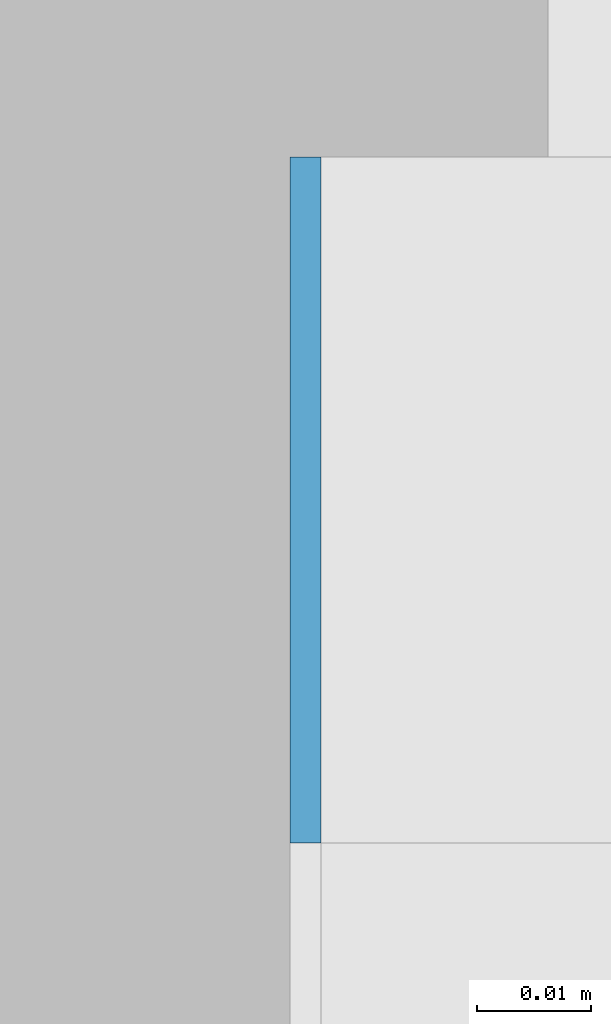
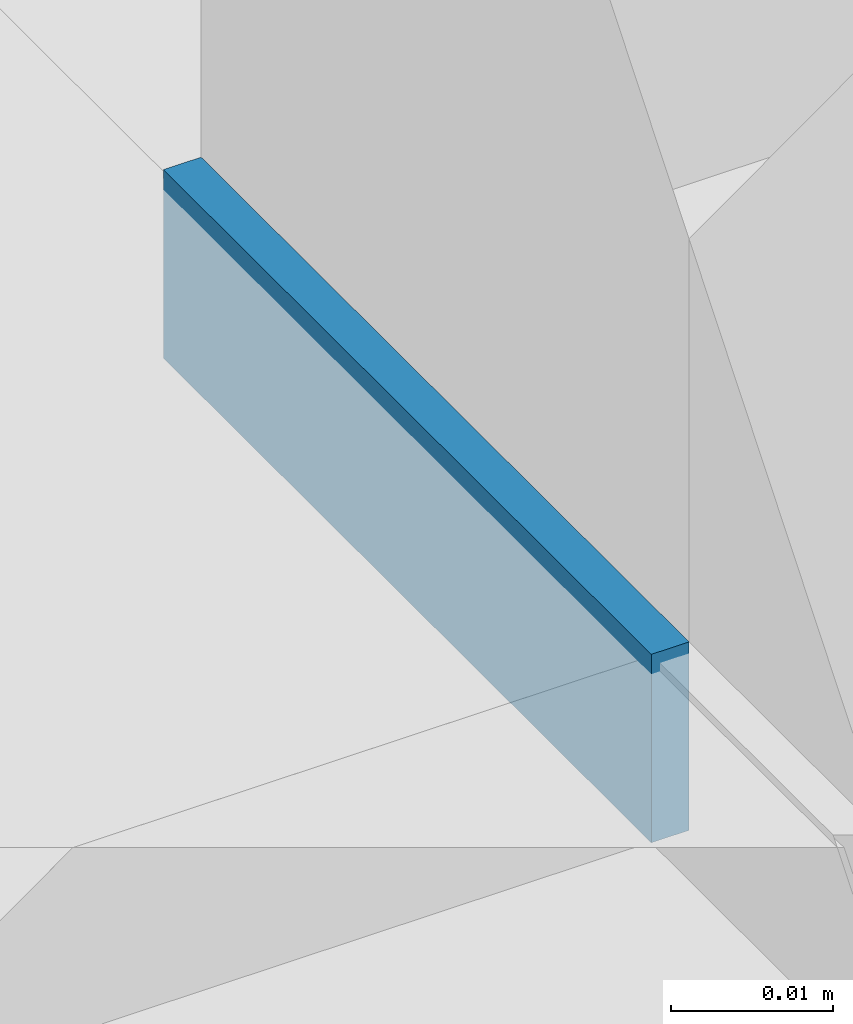
# One storey, part 526 of 646: 1 discrete accessory.
"""IFC4 building model written with IfcOpenShell, lengths in metres."""

from ifc_helpers import new_model, si_unit, direction, frame, origin, origin_2d, place, context, subcontext, project, spatial, rectangle, extrude, material, type_object, element, save


model = new_model("IFC4")

# Units and contexts
model_context = context("Model", 3, precision=1e-05, world=origin(), true_north=direction((0.0, 1.0)))
body_context = subcontext(model_context, "Body", "Model", "MODEL_VIEW")
ifc_project = project(units=[si_unit("LENGTHUNIT", "METRE"), si_unit("AREAUNIT", "SQUARE_METRE"), si_unit("VOLUMEUNIT", "CUBIC_METRE"), si_unit("PLANEANGLEUNIT", "RADIAN"), si_unit("MASSUNIT", "GRAM", prefix="KILO")], contexts=[model_context])

# Site, building, storey
site_placement = place(None, origin())
site = spatial("IfcSite", under=ifc_project, at=site_placement, CompositionType="ELEMENT")
building_placement = place(site_placement, origin())
building = spatial("IfcBuilding", under=site, at=building_placement, Name="Silverbay Arena", CompositionType="ELEMENT")
storey_placement = place(building_placement, frame((0.0, 0.0, 33.5)))
storey = spatial("IfcBuildingStorey", under=building, at=storey_placement, Name="L05", CompositionType="ELEMENT", Elevation=33.5)

# Discrete accessory
ifc_material = material(Name="Steel S355", Category="steel")
discrete_accessory_type = type_object("IfcDiscreteAccessoryType", Name="Steel bracket plate", PredefinedType="BRACKET", material=ifc_material)
discrete_accessory_placement = place(storey_placement, frame((207.128662109375, 81.030029296875, 4.0), z_axis=(0.0, 0.0, 1.0), x_axis=(1.0, 0.0, 0.0)))
element("IfcDiscreteAccessory", 1, at=discrete_accessory_placement, inside=storey, type_object=discrete_accessory_type, Name="Curtain wall packing plate", PredefinedType="BRACKET", context=body_context, shape_type="SweptSolid", body=[
    extrude(rectangle(XDim=0.002685546875, YDim=0.06005859375, at=origin_2d()), origin(), (0.0, 0.0, 1.0), 0.01416015625),
])

save(model, "model.ifc")
